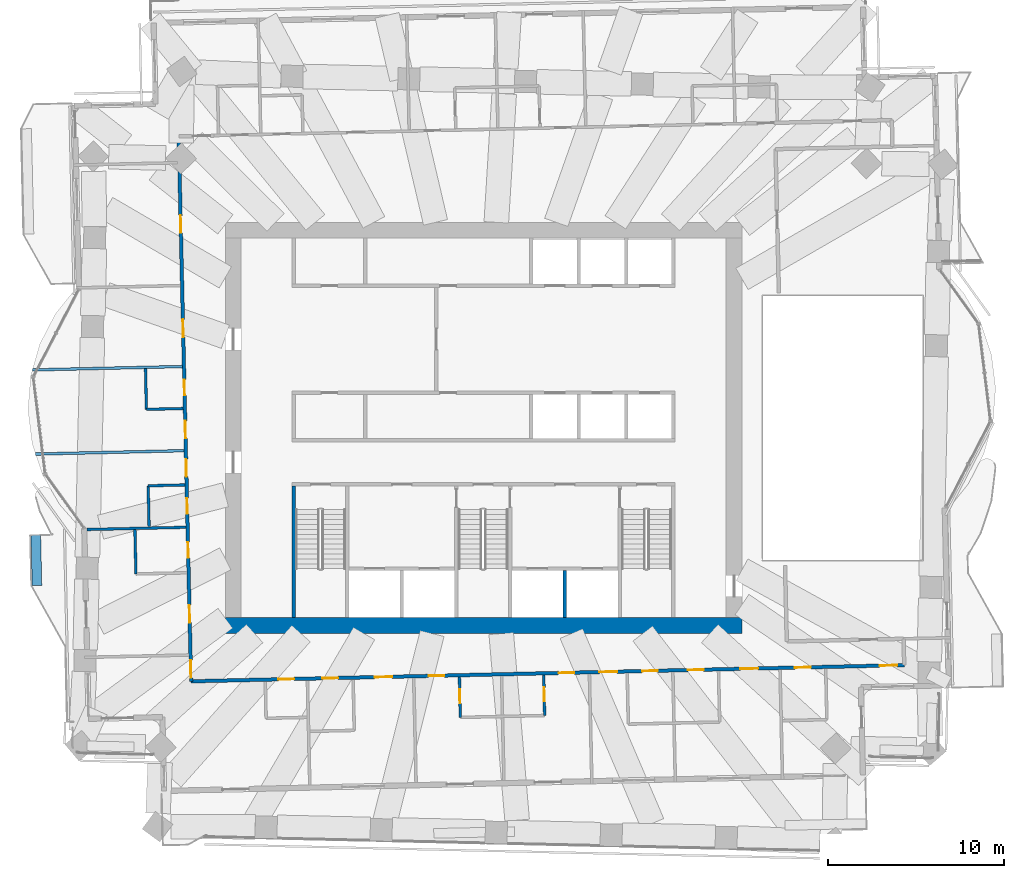
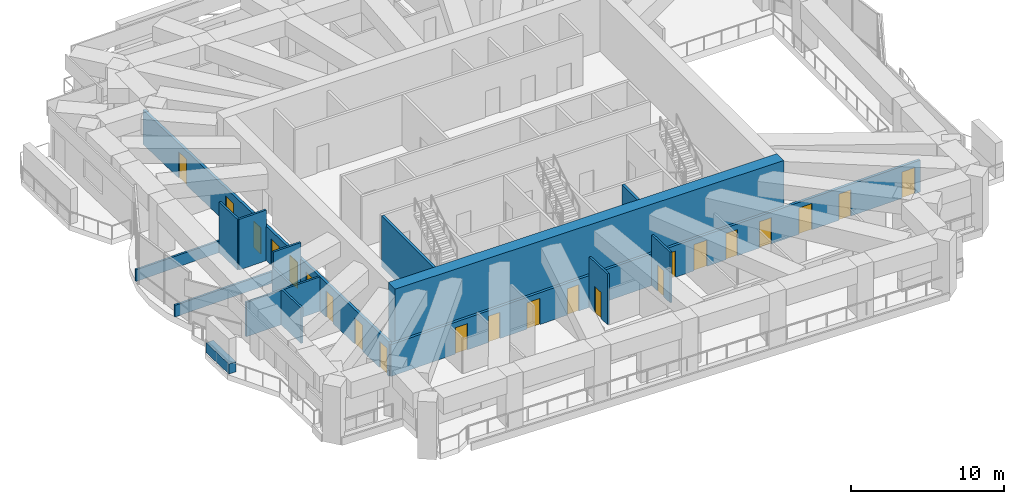
# One storey, part 9 of 17: 22 doors, 16 walls, 22 openings.
"""IFC4 building model written with IfcOpenShell, lengths in metres."""

import ifcopenshell
import ifcopenshell.guid

model = None  # the IFC model being written
_history = None  # IfcOwnerHistory: only IFC2X3 demands one
_inside = {}  # id of a spatial element -> (the spatial element, [elements in it])
_under = {}  # id of a project, library or spatial element -> (it, [spatial elements below it])
_declared = {}  # id of a project -> (the project, [libraries it declares])
_typed = {}  # id of a type object -> (the type object, [elements of that type])
_made_of = {}  # id of a material, layer set ... -> (it, [elements and type objects made of it])


def new_model(schema):
    """Start an empty IFC model of exactly this schema.

    Asked for "IFC4X3", IfcOpenShell would pick the latest addendum, in which some entities
    have other attributes; the version numbers below select the first issue.
    IFC2X3 requires an IfcOwnerHistory on every rooted entity: one is made here for all.
    """
    global model, _history
    if schema == "IFC4X3":
        model = ifcopenshell.file(schema_version=(4, 3, 0, 0))
    else:
        model = ifcopenshell.file(schema=schema)
    _inside.clear()
    _under.clear()
    _declared.clear()
    _typed.clear()
    _made_of.clear()
    _history = None
    if model.schema == "IFC2X3":
        org = make("IfcOrganization", Name="unknown")
        user = make(
            "IfcPersonAndOrganization",
            ThePerson=make("IfcPerson", FamilyName="unknown"),
            TheOrganization=org,
        )
        app = make(
            "IfcApplication",
            ApplicationDeveloper=org,
            Version="unknown",
            ApplicationFullName="unknown",
            ApplicationIdentifier="unknown",
        )
        _history = make(
            "IfcOwnerHistory",
            OwningUser=user,
            OwningApplication=app,
            ChangeAction="ADDED",
            CreationDate=0,
        )
    return model


def make(cls, **values):
    """One entity of the class cls with the attributes given. An attribute that is None is left unset."""
    return model.create_entity(
        cls, **{name: value for name, value in values.items() if value is not None}
    )


def rooted(cls, **values):
    """An entity with a GlobalId (a new one), such as an element, a storey or a relation."""
    return make(cls, GlobalId=ifcopenshell.guid.new(), OwnerHistory=_history, **values)


def si_unit(unit_type, name, prefix=None):
    """IfcSIUnit, for example si_unit("LENGTHUNIT", "METRE", prefix="MILLI")."""
    return make("IfcSIUnit", UnitType=unit_type, Prefix=prefix, Name=name)


def assignment(units):
    """IfcUnitAssignment: the units of a project."""
    return None if units is None else make("IfcUnitAssignment", Units=units)


def point(xyz):
    """IfcCartesianPoint."""
    return None if xyz is None else make("IfcCartesianPoint", Coordinates=xyz)


def direction(xyz):
    """IfcDirection."""
    return None if xyz is None else make("IfcDirection", DirectionRatios=xyz)


def frame(location, z_axis=None, x_axis=None):
    """IfcAxis2Placement3D, a coordinate frame: its origin and axes. An axis left out is left unset."""
    return make(
        "IfcAxis2Placement3D",
        Location=point(location),
        Axis=direction(z_axis),
        RefDirection=direction(x_axis),
    )


def frame_2d(location, x_axis=None):
    """IfcAxis2Placement2D, a coordinate frame in the plane: its origin and x axis."""
    return make(
        "IfcAxis2Placement2D", Location=point(location), RefDirection=direction(x_axis)
    )


def origin():
    """The frame at (0, 0, 0) with its axes left unset."""
    return frame((0.0, 0.0, 0.0))


def place(relative_to, where):
    """IfcLocalPlacement: puts the frame where relative to a parent placement (None: the world)."""
    return make(
        "IfcLocalPlacement", PlacementRelTo=relative_to, RelativePlacement=where
    )


def context(
    kind, dimensions, precision=None, world=None, true_north=None, identifier=None
):
    """IfcGeometricRepresentationContext, for example the 3D "Model" context."""
    return make(
        "IfcGeometricRepresentationContext",
        ContextIdentifier=identifier,
        ContextType=kind,
        CoordinateSpaceDimension=dimensions,
        Precision=precision,
        WorldCoordinateSystem=world,
        TrueNorth=true_north,
    )


def subcontext(parent, identifier, kind, view, scale=None):
    """IfcGeometricRepresentationSubContext, for example "Body" below "Model"."""
    return make(
        "IfcGeometricRepresentationSubContext",
        ContextIdentifier=identifier,
        ContextType=kind,
        ParentContext=parent,
        TargetScale=scale,
        TargetView=view,
    )


def project(units=None, contexts=None):
    """IfcProject with its units and contexts."""
    return rooted(
        "IfcProject",
        Name="project",
        RepresentationContexts=contexts,
        UnitsInContext=assignment(units),
    )


def spatial(cls, under=None, at=None, **own):
    """A site, building, storey or space (cls), placed at a placement, below another one or the project."""
    s = rooted(cls, ObjectPlacement=at, **own)
    if under is not None:
        _under.setdefault(under.id(), (under, []))[1].append(s)
    return s


def profile(cls, at=None, kind="AREA", **sizes):
    """A parametric profile (cls). Its sizes go by their IFC names, for example OverallWidth=200.0."""
    return make(cls, ProfileType=kind, Position=at, **sizes)


def rectangle(**sizes):
    """IfcRectangleProfileDef."""
    return profile("IfcRectangleProfileDef", **sizes)


def extrude(swept, where, along, depth):
    """IfcExtrudedAreaSolid: the profile swept, set in the frame where, extruded along a direction by depth."""
    return make(
        "IfcExtrudedAreaSolid",
        SweptArea=swept,
        Position=where,
        ExtrudedDirection=direction(along),
        Depth=depth,
    )


def shape(context_of_items, identifier, shape_type, items):
    """IfcShapeRepresentation: the items that make up one representation, for example the "Body"."""
    return make(
        "IfcShapeRepresentation",
        ContextOfItems=context_of_items,
        RepresentationIdentifier=identifier,
        RepresentationType=shape_type,
        Items=items,
    )


def material(Name=None, Category=None):
    """IfcMaterial."""
    return make("IfcMaterial", Name=Name, Category=Category)


def layer(
    of_material, thickness, ventilated=None, Name=None, Category=None, Priority=None
):
    """IfcMaterialLayer: one layer of a wall or slab, of a material (None: an air gap)."""
    return make(
        "IfcMaterialLayer",
        Material=of_material,
        LayerThickness=thickness,
        IsVentilated=ventilated,
        Name=Name,
        Category=Category,
        Priority=Priority,
    )


def layer_set(layers, Name=None):
    """IfcMaterialLayerSet."""
    return make("IfcMaterialLayerSet", MaterialLayers=layers, LayerSetName=Name)


def made_of(thing, what):
    """Note that an element or type object is made of a material, layer set ...; save() writes the relation."""
    if what is not None:
        _made_of.setdefault(what.id(), (what, []))[1].append(thing)
    return thing


def type_object(cls, material=None, **own):
    """A type object (cls), such as IfcWallType, which elements share."""
    return made_of(rooted(cls, **own), material)


def element(
    cls,
    number,
    at=None,
    inside=None,
    cuts=None,
    type_object=None,
    material=None,
    context=None,
    identifier="Body",
    shape_type=None,
    held_by="IfcProductDefinitionShape",
    body=None,
    shapes=None,
    **own,
):
    """One element of the class cls, such as IfcWall. Its Tag is "e" and its number.

    at: its placement. inside: the storey or other place that contains it. cuts: it is an
    opening in that element (IfcRelVoidsElement). A single representation is given by context,
    identifier, shape_type and body (its items); several are given by shapes. held_by: the class
    of the entity that holds the representations. save() writes the other relations.
    """
    e = rooted(cls, Tag="e%d" % number, ObjectPlacement=at, **own)
    if body is not None:
        shapes = [shape(context, identifier, shape_type, body)]
    if shapes is not None:
        e.Representation = make(held_by, Representations=shapes)
    if inside is not None:
        _inside.setdefault(inside.id(), (inside, []))[1].append(e)
    if cuts is not None:
        rooted(
            "IfcRelVoidsElement", RelatingBuildingElement=cuts, RelatedOpeningElement=e
        )
    if type_object is not None:
        _typed.setdefault(type_object.id(), (type_object, []))[1].append(e)
    return made_of(e, material)


def fill(opening, filler):
    """IfcRelFillsElement: the door or window that sits in an opening."""
    return rooted(
        "IfcRelFillsElement",
        RelatingOpeningElement=opening,
        RelatedBuildingElement=filler,
    )


def aggregate(whole, parts):
    """IfcRelAggregates: a whole, such as a stair, and the parts it consists of."""
    return rooted("IfcRelAggregates", RelatingObject=whole, RelatedObjects=parts)


def save(model, path):
    """Write the relations noted so far, then the file.

    IfcRelAggregates (storeys below a building ...), IfcRelContainedInSpatialStructure (elements
    in a storey), IfcRelDefinesByType, IfcRelAssociatesMaterial and IfcRelDeclares: one each for
    every whole, place, type object, material and project.
    """
    for whole, parts in _under.values():
        aggregate(whole, parts)
    for where, things in _inside.values():
        rooted(
            "IfcRelContainedInSpatialStructure",
            RelatedElements=things,
            RelatingStructure=where,
        )
    for kind, things in _typed.values():
        rooted("IfcRelDefinesByType", RelatedObjects=things, RelatingType=kind)
    for what, things in _made_of.values():
        rooted("IfcRelAssociatesMaterial", RelatedObjects=things, RelatingMaterial=what)
    for by, libraries in _declared.values():
        rooted("IfcRelDeclares", RelatingContext=by, RelatedDefinitions=libraries)
    model.write(path)


model = new_model("IFC4")

# Units and contexts
model_context = context("Model", 3, precision=1e-05, world=origin(), true_north=direction((0.0, 1.0)))
body_context = subcontext(model_context, "Body", "Model", "MODEL_VIEW")
ifc_project = project(units=[si_unit("LENGTHUNIT", "METRE"), si_unit("AREAUNIT", "SQUARE_METRE"), si_unit("VOLUMEUNIT", "CUBIC_METRE"), si_unit("PLANEANGLEUNIT", "RADIAN"), si_unit("MASSUNIT", "GRAM", prefix="KILO")], contexts=[model_context])

# Site, building, storey
site_placement = place(None, origin())
site = spatial("IfcSite", under=ifc_project, at=site_placement, CompositionType="ELEMENT")
building_placement = place(site_placement, origin())
building = spatial("IfcBuilding", under=site, at=building_placement, Name="Mangrove Gate Tower", CompositionType="ELEMENT")
storey_placement = place(building_placement, frame((0.0, 0.0, 170.699951171875)))
storey = spatial("IfcBuildingStorey", under=building, at=storey_placement, Name="L43", CompositionType="ELEMENT", Elevation=170.699951171875)

# Walls
ifc_material_1 = material(Name="Concrete C60/75", Category="concrete")
ifc_layer_1 = layer(ifc_material_1, 0.199951171875)
ifc_layer_set_1 = layer_set([ifc_layer_1], Name="Core shaft wall 200 C60/75")
wall_type_1 = type_object("IfcWallType", Name="Core shaft wall 200 C60/75", PredefinedType="SHEAR", material=ifc_layer_set_1)
wall_1_placement = place(storey_placement, frame((4.625, -10.800048828125, 0.0), z_axis=(0.0, 0.0, 1.0), x_axis=(0.0, 1.0, 0.0)))
element("IfcWall", 1, at=wall_1_placement, inside=storey, type_object=wall_type_1, Name="WALL-L43-CORE-18", PredefinedType="SHEAR", context=body_context, shape_type="SweptSolid", body=[
    extrude(rectangle(XDim=2.699951171875, YDim=0.199951171875, at=frame_2d((1.35009765625, 0.0))), origin(), (0.0, 0.0, 1.0), 4.050048828125),
])
ifc_material_2 = material(Name="Concrete C60/75", Category="concrete")
ifc_layer_2 = layer(ifc_material_2, 0.199951171875)
ifc_layer_set_2 = layer_set([ifc_layer_2], Name="Core stair wall 200 C60/75")
wall_type_2 = type_object("IfcWallType", Name="Core stair wall 200 C60/75", PredefinedType="SHEAR", material=ifc_layer_set_2)
wall_2_placement = place(storey_placement, frame((-10.800048828125, -10.800048828125, 0.0), z_axis=(0.0, 0.0, 1.0), x_axis=(0.0, 1.0, 0.0)))
element("IfcWall", 2, at=wall_2_placement, inside=storey, type_object=wall_type_2, Name="WALL-L43-CORE-9", PredefinedType="SHEAR", context=body_context, shape_type="SweptSolid", body=[
    extrude(rectangle(XDim=7.5, YDim=0.199951171875, at=frame_2d((3.75, 0.0))), origin(), (0.0, 0.0, 1.0), 4.050048828125),
])
ifc_material_3 = material(Name="Concrete C60/75", Category="concrete")
ifc_layer_3 = layer(ifc_material_3, 0.89990234375)
ifc_layer_set_3 = layer_set([ifc_layer_3], Name="Core wall 900 C60/75")
wall_type_3 = type_object("IfcWallType", Name="Core wall 900 C60/75", PredefinedType="SHEAR", material=ifc_layer_set_3)
wall_3_placement = place(storey_placement, frame((-14.699951171875, -11.25, 0.0), z_axis=(0.0, 0.0, 1.0), x_axis=(1.0, 0.0, 0.0)))
element("IfcWall", 3, at=wall_3_placement, inside=storey, type_object=wall_type_3, Name="WALL-L43-CORE-1", PredefinedType="SHEAR", context=body_context, shape_type="SweptSolid", body=[
    extrude(rectangle(XDim=29.39990234375, YDim=0.89990234375, at=frame_2d((14.699951171875, 0.0))), origin(), (0.0, 0.0, 1.0), 4.60009765625),
])

# Wall, openings, doors
ifc_material_4 = material(Name="Gypsum board on steel stud, EI 60", Category="steel")
ifc_layer_4 = layer(ifc_material_4, 0.199951171875)
ifc_layer_set_4 = layer_set([ifc_layer_4], Name="Corridor wall EI 60")
wall_type_4 = type_object("IfcWallType", Name="Corridor wall EI 60", PredefinedType="PARTITIONING", material=ifc_layer_set_4)
wall_4_placement = place(storey_placement, frame((-16.64990234375, -14.41796875, 0.0), z_axis=(0.0, 0.0, 1.0), x_axis=(-0.022695485329, 0.9997424243, 0.0)))
wall_4 = element("IfcWall", 4, at=wall_4_placement, inside=storey, type_object=wall_type_4, Name="WALL-L43-019", PredefinedType="PARTITIONING", context=body_context, shape_type="SweptSolid", body=[
    extrude(rectangle(XDim=31.02392578125, YDim=0.199951171875, at=frame_2d((15.511962890625, 0.0))), origin(), (0.0, 0.0, 1.0), 2.75),
])
opening_1_placement = place(wall_4_placement, frame((0.199951171875, 0.0, 0.0)))
opening_1 = element("IfcOpeningElement", 5, at=opening_1_placement, cuts=wall_4, Name="Opening AD", PredefinedType="OPENING", context=body_context, shape_type="SweptSolid", body=[
    extrude(rectangle(XDim=1.0, YDim=2.10009765625, at=frame_2d((0.5, 1.050048828125))), frame((0.0, 0.10986328125, 0.0), z_axis=(0.0, -1.0, 0.0), x_axis=(1.0, 0.0, 0.0)), (0.0, 0.0, 1.0), 0.219970703125),
])
opening_2_placement = place(wall_4_placement, frame((25.52490234375, 0.0, 0.0)))
opening_2 = element("IfcOpeningElement", 6, at=opening_2_placement, cuts=wall_4, Name="Opening AD", PredefinedType="OPENING", context=body_context, shape_type="SweptSolid", body=[
    extrude(rectangle(XDim=1.0, YDim=2.10009765625, at=frame_2d((0.5, 1.050048828125))), frame((0.0, 0.10986328125, 0.0), z_axis=(0.0, -1.0, 0.0), x_axis=(1.0, 0.0, 0.0)), (0.0, 0.0, 1.0), 0.219970703125),
])
opening_3_placement = place(wall_4_placement, frame((19.594970703125, 0.0, 0.0)))
opening_3 = element("IfcOpeningElement", 7, at=opening_3_placement, cuts=wall_4, Name="Opening AD", PredefinedType="OPENING", context=body_context, shape_type="SweptSolid", body=[
    extrude(rectangle(XDim=1.0, YDim=2.10009765625, at=frame_2d((0.5, 1.050048828125))), frame((0.0, 0.10986328125, 0.0), z_axis=(0.0, -1.0, 0.0), x_axis=(1.0, 0.0, 0.0)), (0.0, 0.0, 1.0), 0.219970703125),
])
opening_4_placement = place(wall_4_placement, frame((13.824951171875, 0.0, 0.0)))
opening_4 = element("IfcOpeningElement", 8, at=opening_4_placement, cuts=wall_4, Name="Opening AD", PredefinedType="OPENING", context=body_context, shape_type="SweptSolid", body=[
    extrude(rectangle(XDim=1.0, YDim=2.10009765625, at=frame_2d((0.5, 1.050048828125))), frame((0.0, 0.10986328125, 0.0), z_axis=(0.0, -1.0, 0.0), x_axis=(1.0, 0.0, 0.0)), (0.0, 0.0, 1.0), 0.219970703125),
])
opening_5_placement = place(wall_4_placement, frame((16.27490234375, 0.0, 0.0)))
opening_5 = element("IfcOpeningElement", 9, at=opening_5_placement, cuts=wall_4, Name="Opening SD", PredefinedType="OPENING", context=body_context, shape_type="SweptSolid", body=[
    extrude(rectangle(XDim=0.89990234375, YDim=2.10009765625, at=frame_2d((0.449951171875, 1.050048828125))), frame((0.0, 0.10986328125, 0.0), z_axis=(0.0, -1.0, 0.0), x_axis=(1.0, 0.0, 0.0)), (0.0, 0.0, 1.0), 0.219970703125),
])
opening_6_placement = place(wall_4_placement, frame((11.64990234375, 0.0, 0.0)))
opening_6 = element("IfcOpeningElement", 10, at=opening_6_placement, cuts=wall_4, Name="Opening AD", PredefinedType="OPENING", context=body_context, shape_type="SweptSolid", body=[
    extrude(rectangle(XDim=1.0, YDim=2.10009765625, at=frame_2d((0.5, 1.050048828125))), frame((0.0, 0.10986328125, 0.0), z_axis=(0.0, -1.0, 0.0), x_axis=(1.0, 0.0, 0.0)), (0.0, 0.0, 1.0), 0.219970703125),
])
opening_7_placement = place(wall_4_placement, frame((9.52490234375, 0.0, 0.0)))
opening_7 = element("IfcOpeningElement", 11, at=opening_7_placement, cuts=wall_4, Name="Opening SD", PredefinedType="OPENING", context=body_context, shape_type="SweptSolid", body=[
    extrude(rectangle(XDim=0.89990234375, YDim=2.10009765625, at=frame_2d((0.449951171875, 1.050048828125))), frame((0.0, 0.10986328125, 0.0), z_axis=(0.0, -1.0, 0.0), x_axis=(1.0, 0.0, 0.0)), (0.0, 0.0, 1.0), 0.219970703125),
])
opening_8_placement = place(wall_4_placement, frame((3.3369140625, 0.0, 0.0)))
opening_8 = element("IfcOpeningElement", 12, at=opening_8_placement, cuts=wall_4, Name="Opening AD", PredefinedType="OPENING", context=body_context, shape_type="SweptSolid", body=[
    extrude(rectangle(XDim=1.0, YDim=2.10009765625, at=frame_2d((0.5, 1.050048828125))), frame((0.0, 0.10986328125, 0.0), z_axis=(0.0, -1.0, 0.0), x_axis=(1.0, 0.0, 0.0)), (0.0, 0.0, 1.0), 0.219970703125),
])
opening_9_placement = place(wall_4_placement, frame((7.02490234375, 0.0, 0.0)))
opening_9 = element("IfcOpeningElement", 13, at=opening_9_placement, cuts=wall_4, Name="Opening SD", PredefinedType="OPENING", context=body_context, shape_type="SweptSolid", body=[
    extrude(rectangle(XDim=0.89990234375, YDim=2.10009765625, at=frame_2d((0.449951171875, 1.050048828125))), frame((0.0, 0.10986328125, 0.0), z_axis=(0.0, -1.0, 0.0), x_axis=(1.0, 0.0, 0.0)), (0.0, 0.0, 1.0), 0.219970703125),
])
ifc_material_5 = material(Name="Timber door leaf", Category="wood")
door_type_1 = type_object("IfcDoorType", Name="Amenity door 1000", OperationType="SINGLE_SWING_LEFT", PredefinedType="DOOR", material=ifc_material_5)
door_1_placement = place(opening_1_placement, origin())
door_1 = element("IfcDoor", 14, at=door_1_placement, inside=storey, type_object=door_type_1, Name="DOOR-L43-LNG-c1a", OperationType="SINGLE_SWING_LEFT", OverallHeight=2.10009765625, OverallWidth=1.0, PredefinedType="DOOR", context=body_context, shape_type="SweptSolid", body=[
    extrude(rectangle(XDim=1.0, YDim=2.10009765625, at=frame_2d((0.5, 1.050048828125))), frame((0.0, 0.02490234375, 0.0), z_axis=(0.0, -1.0, 0.0), x_axis=(1.0, 0.0, 0.0)), (0.0, 0.0, 1.0), 0.050048828125),
])
fill(opening_1, door_1)
door_2_placement = place(opening_2_placement, origin())
door_2 = element("IfcDoor", 15, at=door_2_placement, inside=storey, type_object=door_type_1, Name="DOOR-L43-LNG-c5b", OperationType="SINGLE_SWING_RIGHT", OverallHeight=2.10009765625, OverallWidth=1.0, PredefinedType="DOOR", context=body_context, shape_type="SweptSolid", body=[
    extrude(rectangle(XDim=1.0, YDim=2.10009765625, at=frame_2d((0.5, 1.050048828125))), frame((0.0, 0.02490234375, 0.0), z_axis=(0.0, -1.0, 0.0), x_axis=(1.0, 0.0, 0.0)), (0.0, 0.0, 1.0), 0.050048828125),
])
fill(opening_2, door_2)
door_3_placement = place(opening_3_placement, origin())
door_3 = element("IfcDoor", 16, at=door_3_placement, inside=storey, type_object=door_type_1, Name="DOOR-L43-GAM-c5a", OperationType="SINGLE_SWING_LEFT", OverallHeight=2.10009765625, OverallWidth=1.0, PredefinedType="DOOR", context=body_context, shape_type="SweptSolid", body=[
    extrude(rectangle(XDim=1.0, YDim=2.10009765625, at=frame_2d((0.5, 1.050048828125))), frame((0.0, 0.02490234375, 0.0), z_axis=(0.0, -1.0, 0.0), x_axis=(1.0, 0.0, 0.0)), (0.0, 0.0, 1.0), 0.050048828125),
])
fill(opening_3, door_3)
door_4_placement = place(opening_4_placement, origin())
door_4 = element("IfcDoor", 17, at=door_4_placement, inside=storey, type_object=door_type_1, Name="DOOR-L43-GAM-c5b", OperationType="SINGLE_SWING_RIGHT", OverallHeight=2.10009765625, OverallWidth=1.0, PredefinedType="DOOR", context=body_context, shape_type="SweptSolid", body=[
    extrude(rectangle(XDim=1.0, YDim=2.10009765625, at=frame_2d((0.5, 1.050048828125))), frame((0.0, 0.02490234375, 0.0), z_axis=(0.0, -1.0, 0.0), x_axis=(1.0, 0.0, 0.0)), (0.0, 0.0, 1.0), 0.050048828125),
])
fill(opening_4, door_4)
door_5_placement = place(opening_6_placement, origin())
door_5 = element("IfcDoor", 18, at=door_5_placement, inside=storey, type_object=door_type_1, Name="DOOR-L43-STU-c5a", OperationType="SINGLE_SWING_LEFT", OverallHeight=2.10009765625, OverallWidth=1.0, PredefinedType="DOOR", context=body_context, shape_type="SweptSolid", body=[
    extrude(rectangle(XDim=1.0, YDim=2.10009765625, at=frame_2d((0.5, 1.050048828125))), frame((0.0, 0.02490234375, 0.0), z_axis=(0.0, -1.0, 0.0), x_axis=(1.0, 0.0, 0.0)), (0.0, 0.0, 1.0), 0.050048828125),
])
fill(opening_6, door_5)
door_6_placement = place(opening_8_placement, origin())
door_6 = element("IfcDoor", 19, at=door_6_placement, inside=storey, type_object=door_type_1, Name="DOOR-L43-GAM-c5c", OperationType="SINGLE_SWING_RIGHT", OverallHeight=2.10009765625, OverallWidth=1.0, PredefinedType="DOOR", context=body_context, shape_type="SweptSolid", body=[
    extrude(rectangle(XDim=1.0, YDim=2.10009765625, at=frame_2d((0.5, 1.050048828125))), frame((0.0, 0.02490234375, 0.0), z_axis=(0.0, -1.0, 0.0), x_axis=(1.0, 0.0, 0.0)), (0.0, 0.0, 1.0), 0.050048828125),
])
fill(opening_8, door_6)
ifc_material_6 = material(Name="Timber door leaf", Category="wood")
door_type_2 = type_object("IfcDoorType", Name="Service room door 900", OperationType="SINGLE_SWING_LEFT", PredefinedType="DOOR", material=ifc_material_6)
door_7_placement = place(opening_5_placement, origin())
door_7 = element("IfcDoor", 20, at=door_7_placement, inside=storey, type_object=door_type_2, Name="DOOR-L43-LIN-c5b", OperationType="SINGLE_SWING_RIGHT", OverallHeight=2.10009765625, OverallWidth=0.89990234375, PredefinedType="DOOR", context=body_context, shape_type="SweptSolid", body=[
    extrude(rectangle(XDim=0.89990234375, YDim=2.10009765625, at=frame_2d((0.449951171875, 1.050048828125))), frame((0.0, 0.02490234375, 0.0), z_axis=(0.0, -1.0, 0.0), x_axis=(1.0, 0.0, 0.0)), (0.0, 0.0, 1.0), 0.050048828125),
])
fill(opening_5, door_7)
door_8_placement = place(opening_7_placement, origin())
door_8 = element("IfcDoor", 21, at=door_8_placement, inside=storey, type_object=door_type_2, Name="DOOR-L43-LIN-c5c", OperationType="SINGLE_SWING_LEFT", OverallHeight=2.10009765625, OverallWidth=0.89990234375, PredefinedType="DOOR", context=body_context, shape_type="SweptSolid", body=[
    extrude(rectangle(XDim=0.89990234375, YDim=2.10009765625, at=frame_2d((0.449951171875, 1.050048828125))), frame((0.0, 0.02490234375, 0.0), z_axis=(0.0, -1.0, 0.0), x_axis=(1.0, 0.0, 0.0)), (0.0, 0.0, 1.0), 0.050048828125),
])
fill(opening_7, door_8)
door_9_placement = place(opening_9_placement, origin())
door_9 = element("IfcDoor", 22, at=door_9_placement, inside=storey, type_object=door_type_2, Name="DOOR-L43-AWC-c5a", OperationType="SINGLE_SWING_RIGHT", OverallHeight=2.10009765625, OverallWidth=0.89990234375, PredefinedType="DOOR", context=body_context, shape_type="SweptSolid", body=[
    extrude(rectangle(XDim=0.89990234375, YDim=2.10009765625, at=frame_2d((0.449951171875, 1.050048828125))), frame((0.0, 0.02490234375, 0.0), z_axis=(0.0, -1.0, 0.0), x_axis=(1.0, 0.0, 0.0)), (0.0, 0.0, 1.0), 0.050048828125),
])
fill(opening_9, door_9)

wall_5_placement = place(storey_placement, frame((-16.64501953125, -14.41796875, 0.0), z_axis=(0.0, 0.0, 1.0), x_axis=(0.999742564802, 0.022689295346, 0.0)))
wall_5 = element("IfcWall", 23, at=wall_5_placement, inside=storey, type_object=wall_type_4, Name="WALL-L43-020", PredefinedType="PARTITIONING", context=body_context, shape_type="SweptSolid", body=[
    extrude(rectangle(XDim=40.58740234375, YDim=0.199951171875, at=frame_2d((20.293701171875, 0.0))), origin(), (0.0, 0.0, 1.0), 2.550048828125),
])
opening_10_placement = place(wall_5_placement, frame((4.965087890625, 0.0, 0.0)))
opening_10 = element("IfcOpeningElement", 24, at=opening_10_placement, cuts=wall_5, Name="Opening SD", PredefinedType="OPENING", context=body_context, shape_type="SweptSolid", body=[
    extrude(rectangle(XDim=0.89990234375, YDim=2.10009765625, at=frame_2d((0.449951171875, 1.050048828125))), frame((0.0, 0.10986328125, 0.0), z_axis=(0.0, -1.0, 0.0), x_axis=(1.0, 0.0, 0.0)), (0.0, 0.0, 1.0), 0.219970703125),
])
opening_11_placement = place(wall_5_placement, frame((10.43994140625, 0.0, 0.0)))
opening_11 = element("IfcOpeningElement", 25, at=opening_11_placement, cuts=wall_5, Name="Opening AD", PredefinedType="OPENING", context=body_context, shape_type="SweptSolid", body=[
    extrude(rectangle(XDim=1.0, YDim=2.10009765625, at=frame_2d((0.5, 1.050048828125))), frame((0.0, 0.10986328125, 0.0), z_axis=(0.0, -1.0, 0.0), x_axis=(1.0, 0.0, 0.0)), (0.0, 0.0, 1.0), 0.219970703125),
])
opening_12_placement = place(wall_5_placement, frame((7.465087890625, 0.0, 0.0)))
opening_12 = element("IfcOpeningElement", 26, at=opening_12_placement, cuts=wall_5, Name="Opening SD", PredefinedType="OPENING", context=body_context, shape_type="SweptSolid", body=[
    extrude(rectangle(XDim=0.89990234375, YDim=2.10009765625, at=frame_2d((0.449951171875, 1.050048828125))), frame((0.0, 0.10986328125, 0.0), z_axis=(0.0, -1.0, 0.0), x_axis=(1.0, 0.0, 0.0)), (0.0, 0.0, 1.0), 0.219970703125),
])
opening_13_placement = place(wall_5_placement, frame((13.514892578125, 0.0, 0.0)))
opening_13 = element("IfcOpeningElement", 27, at=opening_13_placement, cuts=wall_5, Name="Opening BD", PredefinedType="OPENING", context=body_context, shape_type="SweptSolid", body=[
    extrude(rectangle(XDim=0.89990234375, YDim=2.10009765625, at=frame_2d((0.449951171875, 1.050048828125))), frame((0.0, 0.10986328125, 0.0), z_axis=(0.0, -1.0, 0.0), x_axis=(1.0, 0.0, 0.0)), (0.0, 0.0, 1.0), 0.219970703125),
])
opening_14_placement = place(wall_5_placement, frame((20.9150390625, 0.0, 0.0)))
opening_14 = element("IfcOpeningElement", 28, at=opening_14_placement, cuts=wall_5, Name="Opening BD", PredefinedType="OPENING", context=body_context, shape_type="SweptSolid", body=[
    extrude(rectangle(XDim=0.89990234375, YDim=2.10009765625, at=frame_2d((0.449951171875, 1.050048828125))), frame((0.0, 0.10986328125, 0.0), z_axis=(0.0, -1.0, 0.0), x_axis=(1.0, 0.0, 0.0)), (0.0, 0.0, 1.0), 0.219970703125),
])
opening_15_placement = place(wall_5_placement, frame((23.239990234375, 0.0, 0.0)))
opening_15 = element("IfcOpeningElement", 29, at=opening_15_placement, cuts=wall_5, Name="Opening AD", PredefinedType="OPENING", context=body_context, shape_type="SweptSolid", body=[
    extrude(rectangle(XDim=1.0, YDim=2.10009765625, at=frame_2d((0.5, 1.050048828125))), frame((0.0, 0.10986328125, 0.0), z_axis=(0.0, -1.0, 0.0), x_axis=(1.0, 0.0, 0.0)), (0.0, 0.0, 1.0), 0.219970703125),
])
opening_16_placement = place(wall_5_placement, frame((25.6650390625, 0.0, 0.0)))
opening_16 = element("IfcOpeningElement", 30, at=opening_16_placement, cuts=wall_5, Name="Opening SD", PredefinedType="OPENING", context=body_context, shape_type="SweptSolid", body=[
    extrude(rectangle(XDim=0.89990234375, YDim=2.10009765625, at=frame_2d((0.449951171875, 1.050048828125))), frame((0.0, 0.10986328125, 0.0), z_axis=(0.0, -1.0, 0.0), x_axis=(1.0, 0.0, 0.0)), (0.0, 0.0, 1.0), 0.219970703125),
])
opening_17_placement = place(wall_5_placement, frame((31.264892578125, 0.0, 0.0)))
opening_17 = element("IfcOpeningElement", 31, at=opening_17_placement, cuts=wall_5, Name="Opening AD", PredefinedType="OPENING", context=body_context, shape_type="SweptSolid", body=[
    extrude(rectangle(XDim=1.0, YDim=2.10009765625, at=frame_2d((0.5, 1.050048828125))), frame((0.0, 0.10986328125, 0.0), z_axis=(0.0, -1.0, 0.0), x_axis=(1.0, 0.0, 0.0)), (0.0, 0.0, 1.0), 0.219970703125),
])
opening_18_placement = place(wall_5_placement, frame((28.264892578125, 0.0, 0.0)))
opening_18 = element("IfcOpeningElement", 32, at=opening_18_placement, cuts=wall_5, Name="Opening SD", PredefinedType="OPENING", context=body_context, shape_type="SweptSolid", body=[
    extrude(rectangle(XDim=0.89990234375, YDim=2.10009765625, at=frame_2d((0.449951171875, 1.050048828125))), frame((0.0, 0.10986328125, 0.0), z_axis=(0.0, -1.0, 0.0), x_axis=(1.0, 0.0, 0.0)), (0.0, 0.0, 1.0), 0.219970703125),
])
opening_19_placement = place(wall_5_placement, frame((39.179931640625, 0.0, 0.0)))
opening_19 = element("IfcOpeningElement", 33, at=opening_19_placement, cuts=wall_5, Name="Opening AD", PredefinedType="OPENING", context=body_context, shape_type="SweptSolid", body=[
    extrude(rectangle(XDim=1.0, YDim=2.10009765625, at=frame_2d((0.5, 1.050048828125))), frame((0.0, 0.10986328125, 0.0), z_axis=(0.0, -1.0, 0.0), x_axis=(1.0, 0.0, 0.0)), (0.0, 0.0, 1.0), 0.219970703125),
])
opening_20_placement = place(wall_5_placement, frame((34.364990234375, 0.0, 0.0)))
opening_20 = element("IfcOpeningElement", 34, at=opening_20_placement, cuts=wall_5, Name="Opening SD", PredefinedType="OPENING", context=body_context, shape_type="SweptSolid", body=[
    extrude(rectangle(XDim=0.89990234375, YDim=2.10009765625, at=frame_2d((0.449951171875, 1.050048828125))), frame((0.0, 0.10986328125, 0.0), z_axis=(0.0, -1.0, 0.0), x_axis=(1.0, 0.0, 0.0)), (0.0, 0.0, 1.0), 0.219970703125),
])
door_10_placement = place(opening_11_placement, origin())
door_10 = element("IfcDoor", 35, at=door_10_placement, inside=storey, type_object=door_type_1, Name="DOOR-L43-KIT-c1a", OperationType="SINGLE_SWING_RIGHT", OverallHeight=2.10009765625, OverallWidth=1.0, PredefinedType="DOOR", context=body_context, shape_type="SweptSolid", body=[
    extrude(rectangle(XDim=1.0, YDim=2.10009765625, at=frame_2d((0.5, 1.050048828125))), frame((0.0, 0.02490234375, 0.0), z_axis=(0.0, -1.0, 0.0), x_axis=(1.0, 0.0, 0.0)), (0.0, 0.0, 1.0), 0.050048828125),
])
fill(opening_11, door_10)
door_11_placement = place(opening_15_placement, origin())
door_11 = element("IfcDoor", 36, at=door_11_placement, inside=storey, type_object=door_type_1, Name="DOOR-L43-STU-c3a", OperationType="SINGLE_SWING_LEFT", OverallHeight=2.10009765625, OverallWidth=1.0, PredefinedType="DOOR", context=body_context, shape_type="SweptSolid", body=[
    extrude(rectangle(XDim=1.0, YDim=2.10009765625, at=frame_2d((0.5, 1.050048828125))), frame((0.0, 0.02490234375, 0.0), z_axis=(0.0, -1.0, 0.0), x_axis=(1.0, 0.0, 0.0)), (0.0, 0.0, 1.0), 0.050048828125),
])
fill(opening_15, door_11)
door_12_placement = place(opening_17_placement, origin())
door_12 = element("IfcDoor", 37, at=door_12_placement, inside=storey, type_object=door_type_1, Name="DOOR-L43-KIT-c3a", OperationType="SINGLE_SWING_RIGHT", OverallHeight=2.10009765625, OverallWidth=1.0, PredefinedType="DOOR", context=body_context, shape_type="SweptSolid", body=[
    extrude(rectangle(XDim=1.0, YDim=2.10009765625, at=frame_2d((0.5, 1.050048828125))), frame((0.0, 0.02490234375, 0.0), z_axis=(0.0, -1.0, 0.0), x_axis=(1.0, 0.0, 0.0)), (0.0, 0.0, 1.0), 0.050048828125),
])
fill(opening_17, door_12)
door_13_placement = place(opening_19_placement, origin())
door_13 = element("IfcDoor", 38, at=door_13_placement, inside=storey, type_object=door_type_1, Name="DOOR-L43-STU-c3b", OperationType="SINGLE_SWING_LEFT", OverallHeight=2.10009765625, OverallWidth=1.0, PredefinedType="DOOR", context=body_context, shape_type="SweptSolid", body=[
    extrude(rectangle(XDim=1.0, YDim=2.10009765625, at=frame_2d((0.5, 1.050048828125))), frame((0.0, 0.02490234375, 0.0), z_axis=(0.0, -1.0, 0.0), x_axis=(1.0, 0.0, 0.0)), (0.0, 0.0, 1.0), 0.050048828125),
])
fill(opening_19, door_13)
ifc_material_7 = material(Name="Timber door leaf", Category="wood")
door_type_3 = type_object("IfcDoorType", Name="Bedroom door 900", OperationType="SINGLE_SWING_LEFT", PredefinedType="DOOR", material=ifc_material_7)
door_14_placement = place(opening_13_placement, origin())
door_14 = element("IfcDoor", 39, at=door_14_placement, inside=storey, type_object=door_type_3, Name="DOOR-L43-BED-c101", OperationType="SINGLE_SWING_LEFT", OverallHeight=2.10009765625, OverallWidth=0.89990234375, PredefinedType="DOOR", context=body_context, shape_type="SweptSolid", body=[
    extrude(rectangle(XDim=0.89990234375, YDim=2.10009765625, at=frame_2d((0.449951171875, 1.050048828125))), frame((0.0, 0.02490234375, 0.0), z_axis=(0.0, -1.0, 0.0), x_axis=(1.0, 0.0, 0.0)), (0.0, 0.0, 1.0), 0.050048828125),
])
fill(opening_13, door_14)
door_15_placement = place(opening_14_placement, origin())
door_15 = element("IfcDoor", 40, at=door_15_placement, inside=storey, type_object=door_type_3, Name="DOOR-L43-BED-c202", OperationType="SINGLE_SWING_RIGHT", OverallHeight=2.10009765625, OverallWidth=0.89990234375, PredefinedType="DOOR", context=body_context, shape_type="SweptSolid", body=[
    extrude(rectangle(XDim=0.89990234375, YDim=2.10009765625, at=frame_2d((0.449951171875, 1.050048828125))), frame((0.0, 0.02490234375, 0.0), z_axis=(0.0, -1.0, 0.0), x_axis=(1.0, 0.0, 0.0)), (0.0, 0.0, 1.0), 0.050048828125),
])
fill(opening_14, door_15)
door_16_placement = place(opening_10_placement, origin())
door_16 = element("IfcDoor", 41, at=door_16_placement, inside=storey, type_object=door_type_2, Name="DOOR-L43-LIN-c1a", OperationType="SINGLE_SWING_LEFT", OverallHeight=2.10009765625, OverallWidth=0.89990234375, PredefinedType="DOOR", context=body_context, shape_type="SweptSolid", body=[
    extrude(rectangle(XDim=0.89990234375, YDim=2.10009765625, at=frame_2d((0.449951171875, 1.050048828125))), frame((0.0, 0.02490234375, 0.0), z_axis=(0.0, -1.0, 0.0), x_axis=(1.0, 0.0, 0.0)), (0.0, 0.0, 1.0), 0.050048828125),
])
fill(opening_10, door_16)
door_17_placement = place(opening_12_placement, origin())
door_17 = element("IfcDoor", 42, at=door_17_placement, inside=storey, type_object=door_type_2, Name="DOOR-L43-AWC-c1a", OperationType="SINGLE_SWING_RIGHT", OverallHeight=2.10009765625, OverallWidth=0.89990234375, PredefinedType="DOOR", context=body_context, shape_type="SweptSolid", body=[
    extrude(rectangle(XDim=0.89990234375, YDim=2.10009765625, at=frame_2d((0.449951171875, 1.050048828125))), frame((0.0, 0.02490234375, 0.0), z_axis=(0.0, -1.0, 0.0), x_axis=(1.0, 0.0, 0.0)), (0.0, 0.0, 1.0), 0.050048828125),
])
fill(opening_12, door_17)
door_18_placement = place(opening_16_placement, origin())
door_18 = element("IfcDoor", 43, at=door_18_placement, inside=storey, type_object=door_type_2, Name="DOOR-L43-AWC-c3a", OperationType="SINGLE_SWING_LEFT", OverallHeight=2.10009765625, OverallWidth=0.89990234375, PredefinedType="DOOR", context=body_context, shape_type="SweptSolid", body=[
    extrude(rectangle(XDim=0.89990234375, YDim=2.10009765625, at=frame_2d((0.449951171875, 1.050048828125))), frame((0.0, 0.02490234375, 0.0), z_axis=(0.0, -1.0, 0.0), x_axis=(1.0, 0.0, 0.0)), (0.0, 0.0, 1.0), 0.050048828125),
])
fill(opening_16, door_18)
door_19_placement = place(opening_18_placement, origin())
door_19 = element("IfcDoor", 44, at=door_19_placement, inside=storey, type_object=door_type_2, Name="DOOR-L43-AWC-c3b", OperationType="SINGLE_SWING_RIGHT", OverallHeight=2.10009765625, OverallWidth=0.89990234375, PredefinedType="DOOR", context=body_context, shape_type="SweptSolid", body=[
    extrude(rectangle(XDim=0.89990234375, YDim=2.10009765625, at=frame_2d((0.449951171875, 1.050048828125))), frame((0.0, 0.02490234375, 0.0), z_axis=(0.0, -1.0, 0.0), x_axis=(1.0, 0.0, 0.0)), (0.0, 0.0, 1.0), 0.050048828125),
])
fill(opening_18, door_19)
door_20_placement = place(opening_20_placement, origin())
door_20 = element("IfcDoor", 45, at=door_20_placement, inside=storey, type_object=door_type_2, Name="DOOR-L43-AWC-c3c", OperationType="SINGLE_SWING_LEFT", OverallHeight=2.10009765625, OverallWidth=0.89990234375, PredefinedType="DOOR", context=body_context, shape_type="SweptSolid", body=[
    extrude(rectangle(XDim=0.89990234375, YDim=2.10009765625, at=frame_2d((0.449951171875, 1.050048828125))), frame((0.0, 0.02490234375, 0.0), z_axis=(0.0, -1.0, 0.0), x_axis=(1.0, 0.0, 0.0)), (0.0, 0.0, 1.0), 0.050048828125),
])
fill(opening_20, door_20)

# Wall, opening, door
ifc_material_8 = material(Name="Gypsum board on steel stud, EI 60", Category="steel")
ifc_layer_5 = layer(ifc_material_8, 0.14990234375)
ifc_layer_set_5 = layer_set([ifc_layer_5], Name="Party wall 150 EI 60")
wall_type_5 = type_object("IfcWallType", Name="Party wall 150 EI 60", PredefinedType="PARTITIONING", material=ifc_layer_set_5)
wall_6_placement = place(storey_placement, frame((-1.330078125, -16.470947265625, 0.0), z_axis=(0.0, 0.0, 1.0), x_axis=(-0.022615284993, 0.999744241736, 0.0)))
wall_6 = element("IfcWall", 46, at=wall_6_placement, inside=storey, type_object=wall_type_5, Name="WALL-L43-015", PredefinedType="PARTITIONING", context=body_context, shape_type="SweptSolid", body=[
    extrude(rectangle(XDim=2.29931640625, YDim=0.14990234375, at=frame_2d((1.149658203125, 0.0))), origin(), (0.0, 0.0, 1.0), 4.050048828125),
])
opening_21_placement = place(wall_6_placement, frame((0.800048828125, 0.0, 0.0)))
opening_21 = element("IfcOpeningElement", 47, at=opening_21_placement, cuts=wall_6, Name="Opening ED", PredefinedType="OPENING", context=body_context, shape_type="SweptSolid", body=[
    extrude(rectangle(XDim=0.800048828125, YDim=2.10009765625, at=frame_2d((0.39990234375, 1.050048828125))), frame((0.0, 0.0849609375, 0.0), z_axis=(0.0, -1.0, 0.0), x_axis=(1.0, 0.0, 0.0)), (0.0, 0.0, 1.0), 0.169921875),
])
ifc_material_9 = material(Name="Timber door leaf", Category="wood")
door_type_4 = type_object("IfcDoorType", Name="En-suite door 800", OperationType="SINGLE_SWING_LEFT", PredefinedType="DOOR", material=ifc_material_9)
door_21_placement = place(opening_21_placement, origin())
door_21 = element("IfcDoor", 48, at=door_21_placement, inside=storey, type_object=door_type_4, Name="DOOR-L43-ENS-c101", OperationType="SINGLE_SWING_LEFT", OverallHeight=2.10009765625, OverallWidth=0.800048828125, PredefinedType="DOOR", context=body_context, shape_type="SweptSolid", body=[
    extrude(rectangle(XDim=0.800048828125, YDim=2.10009765625, at=frame_2d((0.39990234375, 1.050048828125))), frame((0.0, 0.02490234375, 0.0), z_axis=(0.0, -1.0, 0.0), x_axis=(1.0, 0.0, 0.0)), (0.0, 0.0, 1.0), 0.050048828125),
])
fill(opening_21, door_21)

wall_7_placement = place(storey_placement, frame((3.468994140625, -16.362060546875, 0.0), z_axis=(0.0, 0.0, 1.0), x_axis=(-0.022612884682, 0.999744296031, 0.0)))
wall_7 = element("IfcWall", 49, at=wall_7_placement, inside=storey, type_object=wall_type_5, Name="WALL-L43-016", PredefinedType="PARTITIONING", context=body_context, shape_type="SweptSolid", body=[
    extrude(rectangle(XDim=2.299560546875, YDim=0.14990234375, at=frame_2d((1.14990234375, 0.0))), origin(), (0.0, 0.0, 1.0), 4.050048828125),
])
opening_22_placement = place(wall_7_placement, frame((0.800048828125, 0.0, 0.0)))
opening_22 = element("IfcOpeningElement", 50, at=opening_22_placement, cuts=wall_7, Name="Opening ED", PredefinedType="OPENING", context=body_context, shape_type="SweptSolid", body=[
    extrude(rectangle(XDim=0.800048828125, YDim=2.10009765625, at=frame_2d((0.39990234375, 1.050048828125))), frame((0.0, 0.0849609375, 0.0), z_axis=(0.0, -1.0, 0.0), x_axis=(1.0, 0.0, 0.0)), (0.0, 0.0, 1.0), 0.169921875),
])
door_22_placement = place(opening_22_placement, origin())
door_22 = element("IfcDoor", 51, at=door_22_placement, inside=storey, type_object=door_type_4, Name="DOOR-L43-ENS-c202", OperationType="SINGLE_SWING_RIGHT", OverallHeight=2.10009765625, OverallWidth=0.800048828125, PredefinedType="DOOR", context=body_context, shape_type="SweptSolid", body=[
    extrude(rectangle(XDim=0.800048828125, YDim=2.10009765625, at=frame_2d((0.39990234375, 1.050048828125))), frame((0.0, 0.02490234375, 0.0), z_axis=(0.0, -1.0, 0.0), x_axis=(1.0, 0.0, 0.0)), (0.0, 0.0, 1.0), 0.050048828125),
])
fill(opening_22, door_22)

# Walls
wall_8_placement = place(storey_placement, frame((-19.7890625, -8.31298828125, 0.0), z_axis=(0.0, 0.0, 1.0), x_axis=(-0.022910248851, 0.999737525802, 0.0)))
element("IfcWall", 52, at=wall_8_placement, inside=storey, type_object=wall_type_5, Name="WALL-L43-026", PredefinedType="PARTITIONING", context=body_context, shape_type="SweptSolid", body=[
    extrude(rectangle(XDim=2.525634765625, YDim=0.14990234375, at=frame_2d((1.2626953125, 0.0))), origin(), (0.0, 0.0, 1.0), 2.85009765625),
])
wall_9_placement = place(storey_placement, frame((-22.577880859375, -5.780029296875, 0.0), z_axis=(0.0, 0.0, 1.0), x_axis=(0.999746200787, 0.022528515532, 0.0)))
element("IfcWall", 53, at=wall_9_placement, inside=storey, type_object=wall_type_5, Name="WALL-L43-028", PredefinedType="PARTITIONING", context=body_context, shape_type="SweptSolid", body=[
    extrude(rectangle(XDim=5.63525390625, YDim=0.14990234375, at=frame_2d((2.817626953125, 0.0))), origin(), (0.0, 0.0, 1.0), 2.75),
])
wall_10_placement = place(storey_placement, frame((-19.0400390625, -5.6201171875, 0.0), z_axis=(0.0, 0.0, 1.0), x_axis=(-0.022788198363, 0.99974031529, 0.0)))
element("IfcWall", 54, at=wall_10_placement, inside=storey, type_object=wall_type_5, Name="WALL-L43-029", PredefinedType="PARTITIONING", context=body_context, shape_type="SweptSolid", body=[
    extrude(rectangle(XDim=2.32470703125, YDim=0.14990234375, at=frame_2d((1.162353515625, 0.0))), origin(), (0.0, 0.0, 1.0), 2.85009765625),
])
wall_11_placement = place(storey_placement, frame((-19.097900390625, -3.291015625, 0.0), z_axis=(0.0, 0.0, 1.0), x_axis=(0.999737555419, 0.022908956429, 0.0)))
element("IfcWall", 55, at=wall_11_placement, inside=storey, type_object=wall_type_5, Name="WALL-L43-030", PredefinedType="PARTITIONING", context=body_context, shape_type="SweptSolid", body=[
    extrude(rectangle(XDim=2.099365234375, YDim=0.14990234375, at=frame_2d((1.0498046875, 0.0))), origin(), (0.0, 0.0, 1.0), 4.050048828125),
])
wall_12_placement = place(storey_placement, frame((-25.492919921875, -1.485107421875, 0.0), z_axis=(0.0, 0.0, 1.0), x_axis=(0.99974420116, 0.02261707866, 0.0)))
element("IfcWall", 56, at=wall_12_placement, inside=storey, type_object=wall_type_5, Name="WALL-L43-031", PredefinedType="PARTITIONING", context=body_context, shape_type="SweptSolid", body=[
    extrude(rectangle(XDim=8.4521484375, YDim=0.14990234375, at=frame_2d((4.22607421875, 0.0))), origin(), (0.0, 0.0, 1.0), 0.929931640625),
])
wall_13_placement = place(storey_placement, frame((-19.19189453125, 1.052978515625, 0.0), z_axis=(0.0, 0.0, 1.0), x_axis=(-0.022885950011, 0.999738082346, 0.0)))
element("IfcWall", 57, at=wall_13_placement, inside=storey, type_object=wall_type_5, Name="WALL-L43-032", PredefinedType="PARTITIONING", context=body_context, shape_type="SweptSolid", body=[
    extrude(rectangle(XDim=2.325439453125, YDim=0.14990234375, at=frame_2d((1.16259765625, 0.0))), origin(), (0.0, 0.0, 1.0), 4.050048828125),
])
wall_14_placement = place(storey_placement, frame((-19.197021484375, 1.05810546875, 0.0), z_axis=(0.0, 0.0, 1.0), x_axis=(0.999740513837, 0.022779486249, 0.0)))
element("IfcWall", 58, at=wall_14_placement, inside=storey, type_object=wall_type_5, Name="WALL-L43-033", PredefinedType="PARTITIONING", context=body_context, shape_type="SweptSolid", body=[
    extrude(rectangle(XDim=2.1005859375, YDim=0.14990234375, at=frame_2d((1.05029296875, 0.0))), origin(), (0.0, 0.0, 1.0), 4.050048828125),
])
wall_15_placement = place(storey_placement, frame((-25.677978515625, 3.302001953125, 0.0), z_axis=(0.0, 0.0, 1.0), x_axis=(0.999743576582, 0.022644670096, 0.0)))
element("IfcWall", 59, at=wall_15_placement, inside=storey, type_object=wall_type_5, Name="WALL-L43-034", PredefinedType="PARTITIONING", context=body_context, shape_type="SweptSolid", body=[
    extrude(rectangle(XDim=8.528076171875, YDim=0.14990234375, at=frame_2d((4.26416015625, 0.0))), origin(), (0.0, 0.0, 1.0), 0.929931640625),
])
ifc_material_10 = material(Name="Concrete C32/40", Category="concrete")
ifc_layer_6 = layer(ifc_material_10, 0.199951171875, Name="Planter trough wall")
ifc_material_11 = material(Name="Bituminous waterproofing membrane")
ifc_layer_7 = layer(ifc_material_11, 0.0048828125, Name="Waterproofing")
ifc_material_12 = material(Name="Drainage board and gravel")
ifc_layer_8 = layer(ifc_material_12, 0.044921875, Name="Drainage layer")
ifc_material_13 = material(Name="Planting soil")
ifc_layer_9 = layer(ifc_material_13, 0.300048828125, Name="Growing medium")
ifc_layer_set_6 = layer_set([ifc_layer_6, ifc_layer_7, ifc_layer_8, ifc_layer_9], Name="Planter wall 550 C32/40")
wall_type_6 = type_object("IfcWallType", Name="Planter wall 550 C32/40", PredefinedType="USERDEFINED", material=ifc_layer_set_6)
wall_16_placement = place(storey_placement, frame((-25.4208984375, -8.966064453125, 0.0), z_axis=(0.0, 0.0, 1.0), x_axis=(-0.022675106248, 0.999742886725, 0.0)))
element("IfcWall", 60, at=wall_16_placement, inside=storey, type_object=wall_type_6, Name="PLANTER L43 W1.1", ObjectType="PLANTER", PredefinedType="USERDEFINED", context=body_context, shape_type="SweptSolid", body=[
    extrude(rectangle(XDim=2.874755859375, YDim=0.550048828125, at=frame_2d((1.4375, 0.0))), origin(), (0.0, 0.0, 1.0), 0.800048828125),
])

save(model, "model.ifc")
